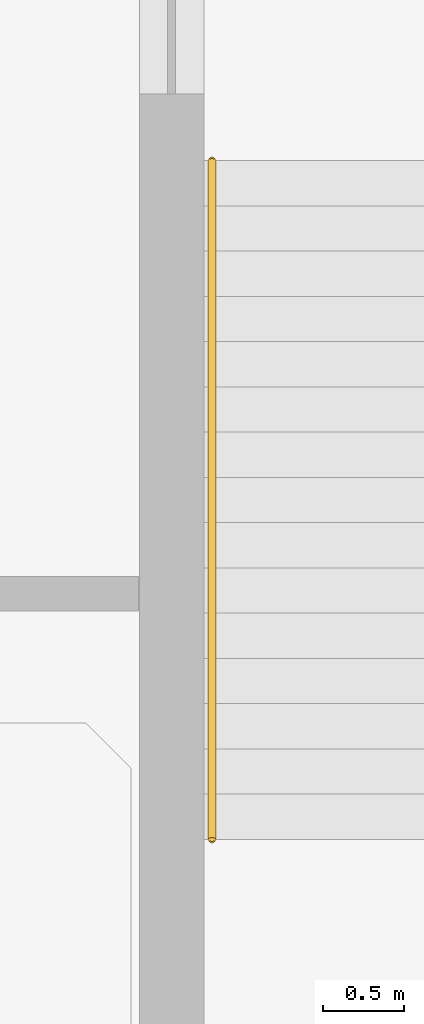
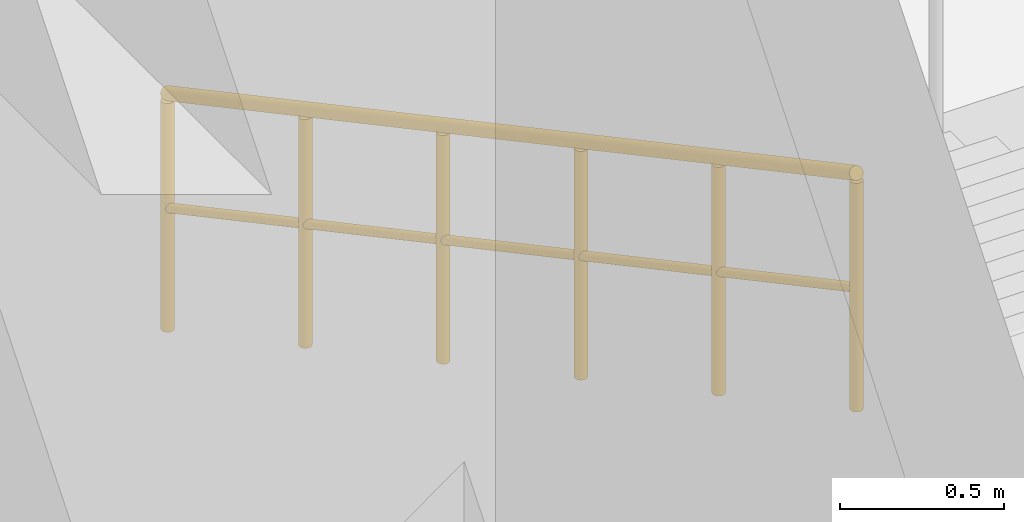
# One storey, part 16 of 19: 1 railing.
"""IFC4 building model written with IfcOpenShell, lengths in metres."""

from ifc_helpers import new_model, si_unit, derived_unit, direction, frame, origin, origin_2d, place, context, subcontext, project, spatial, circle, extrude, material, type_object, element, save


model = new_model("IFC4")

# Units and contexts
model_context = context("Model", 3, precision=1e-05, world=origin(), true_north=direction((0.0, 1.0)))
body_context = subcontext(model_context, "Body", "Model", "MODEL_VIEW")
ifc_project = project(units=[si_unit("LENGTHUNIT", "METRE"), si_unit("AREAUNIT", "SQUARE_METRE"), si_unit("VOLUMEUNIT", "CUBIC_METRE"), si_unit("PLANEANGLEUNIT", "RADIAN"), si_unit("MASSUNIT", "GRAM", prefix="KILO"), derived_unit("THERMALTRANSMITTANCEUNIT", [(si_unit("MASSUNIT", "GRAM", prefix="KILO"), 1), (si_unit("TIMEUNIT", "SECOND"), -3), (si_unit("THERMODYNAMICTEMPERATUREUNIT", "KELVIN"), -1)])], contexts=[model_context])

# Site, building, storey
site_placement = place(None, origin())
site = spatial("IfcSite", under=ifc_project, at=site_placement, CompositionType="ELEMENT")
building_placement = place(site_placement, origin())
building = spatial("IfcBuilding", under=site, at=building_placement, Name="Qinzheling Arcade Emporium", CompositionType="ELEMENT")
storey_placement = place(building_placement, frame((0.0, 0.0, -4.800048828125)))
storey = spatial("IfcBuildingStorey", under=building, at=storey_placement, Name="B1", CompositionType="ELEMENT", Elevation=-4.800048828125)

# Railing
ifc_material = material(Name="Brushed stainless steel 304", Category="steel")
railing_type = type_object("IfcRailingType", Name="Stainless Steel Wall Handrail 900", PredefinedType="HANDRAIL", material=ifc_material)
railing_placement = place(storey_placement, frame((63.0, 30.280029296875, 0.150146484375)))
element("IfcRailing", 1, at=railing_placement, inside=storey, type_object=railing_type, Name="B1 ST01 stair handrail 1", PredefinedType="HANDRAIL", context=body_context, shape_type="SweptSolid", body=[
    extrude(circle(Radius=0.02392578125, at=origin_2d()), frame((0.0, 0.0, 0.8759765625), z_axis=(0.0, -0.881477684796, 0.472225678258), x_axis=(1.0, 0.0, 0.0)), (0.0, 0.0, 1.0), 4.7646484375),
    extrude(circle(Radius=0.01611328125, at=origin_2d()), frame((0.0, 0.0, 0.449951171875), z_axis=(0.0, -0.881477684796, 0.472225678258), x_axis=(1.0, 0.0, 0.0)), (0.0, 0.0, 1.0), 4.7646484375),
    extrude(circle(Radius=0.02099609375, at=origin_2d()), origin(), (0.0, 0.0, 1.0), 0.851806640625),
    extrude(circle(Radius=0.02099609375, at=origin_2d()), frame((0.0, -0.840087890625, 0.449951171875)), (0.0, 0.0, 1.0), 0.851806640625),
    extrude(circle(Radius=0.02099609375, at=origin_2d()), frame((0.0, -1.679931640625, 0.89990234375)), (0.0, 0.0, 1.0), 0.851806640625),
    extrude(circle(Radius=0.02099609375, at=origin_2d()), frame((0.0, -2.52001953125, 1.35009765625)), (0.0, 0.0, 1.0), 0.851806640625),
    extrude(circle(Radius=0.02099609375, at=origin_2d()), frame((0.0, -3.35986328125, 1.800048828125)), (0.0, 0.0, 1.0), 0.851806640625),
    extrude(circle(Radius=0.02099609375, at=origin_2d()), frame((0.0, -4.199951171875, 2.25)), (0.0, 0.0, 1.0), 0.851806640625),
])

save(model, "model.ifc")
